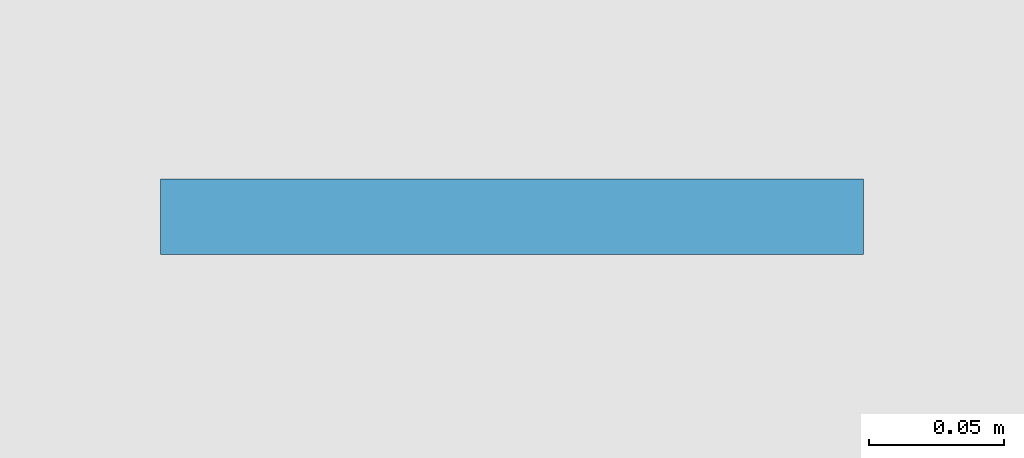
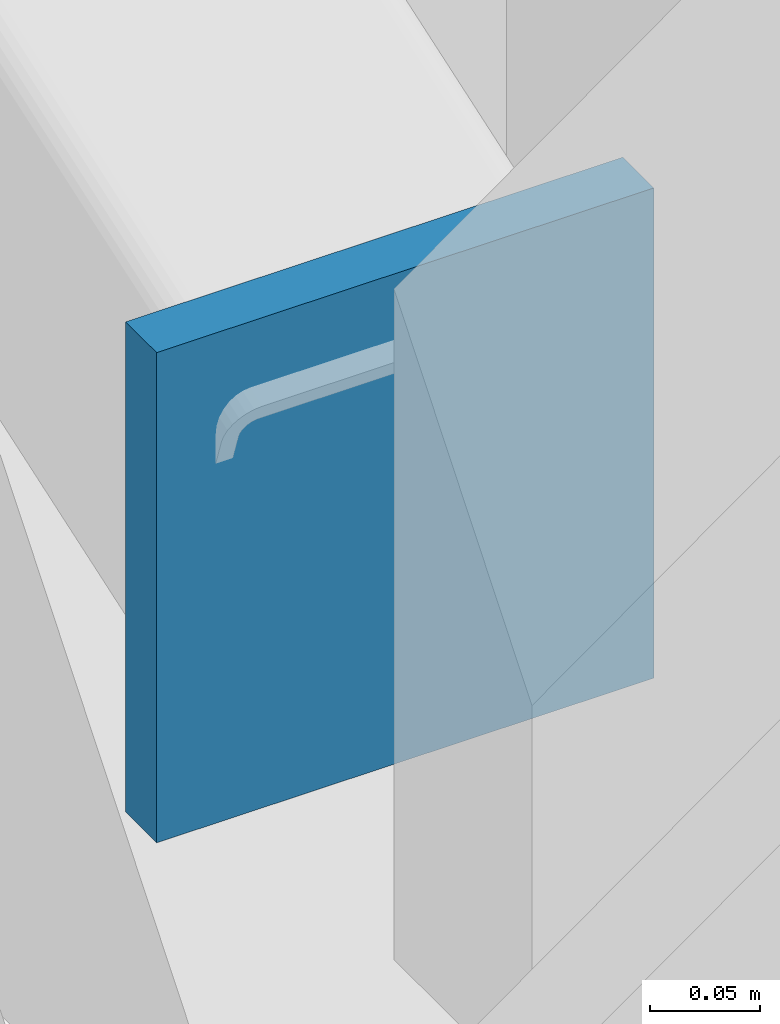
# One storey, part 19 of 34: 1 plate.
"""IFC4 building model written with IfcOpenShell, lengths in metres."""

from ifc_helpers import new_model, si_unit, direction, frame, origin, origin_2d, place, context, subcontext, project, spatial, rectangle, extrude, material, layer, layer_set, type_object, element, save


model = new_model("IFC4")

# Units and contexts
model_context = context("Model", 3, precision=1e-05, world=origin(), true_north=direction((0.0, 1.0)))
body_context = subcontext(model_context, "Body", "Model", "MODEL_VIEW")
ifc_project = project(units=[si_unit("LENGTHUNIT", "METRE"), si_unit("AREAUNIT", "SQUARE_METRE"), si_unit("VOLUMEUNIT", "CUBIC_METRE"), si_unit("PLANEANGLEUNIT", "RADIAN"), si_unit("MASSUNIT", "GRAM", prefix="KILO")], contexts=[model_context])

# Site, building, storey
site_placement = place(None, origin())
site = spatial("IfcSite", under=ifc_project, at=site_placement, CompositionType="ELEMENT")
building_placement = place(site_placement, origin())
building = spatial("IfcBuilding", under=site, at=building_placement, Name="Larkvane Passage Sports Hall", CompositionType="ELEMENT")
storey_placement = place(building_placement, frame((0.0, 0.0, -4.800048828125)))
storey = spatial("IfcBuildingStorey", under=building, at=storey_placement, Name="B01", CompositionType="ELEMENT", Elevation=-4.800048828125)

# Plate
ifc_material = material(Name="Steel S355JR", Category="steel")
ifc_layer = layer(ifc_material, 0.011962890625)
ifc_layer_set = layer_set([ifc_layer], Name="Steel S355JR")
plate_type = type_object("IfcPlateType", Name="PLT-CAP-12", PredefinedType="SHEET", material=ifc_layer_set)
plate_placement = place(storey_placement, frame((34.800048828125, 51.59423828125, 0.0126953125), z_axis=(0.0, 0.0, 1.0), x_axis=(-1.0, 0.0, 0.0)))
element("IfcPlate", 1, at=plate_placement, inside=storey, type_object=plate_type, Name="Hollow section sealed end cap plate 0554", PredefinedType="SHEET", context=body_context, shape_type="SweptSolid", body=[
    extrude(rectangle(XDim=0.260009765625, YDim=0.028076171875, at=origin_2d()), origin(), (0.0, 0.0, 1.0), 0.27099609375),
])

save(model, "model.ifc")
